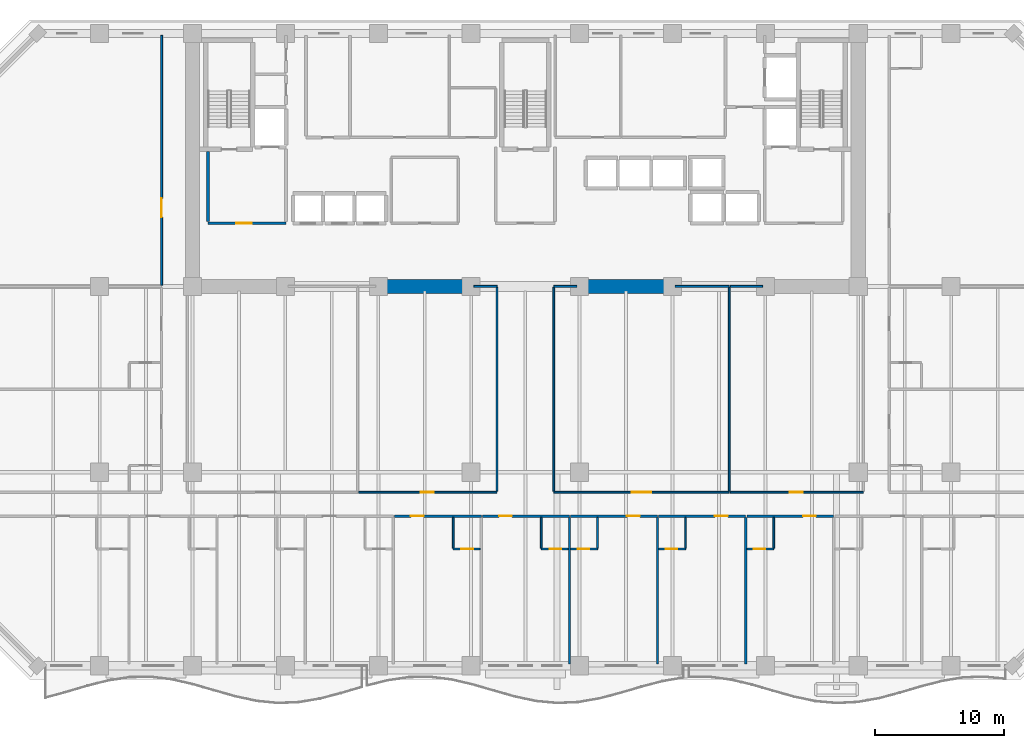
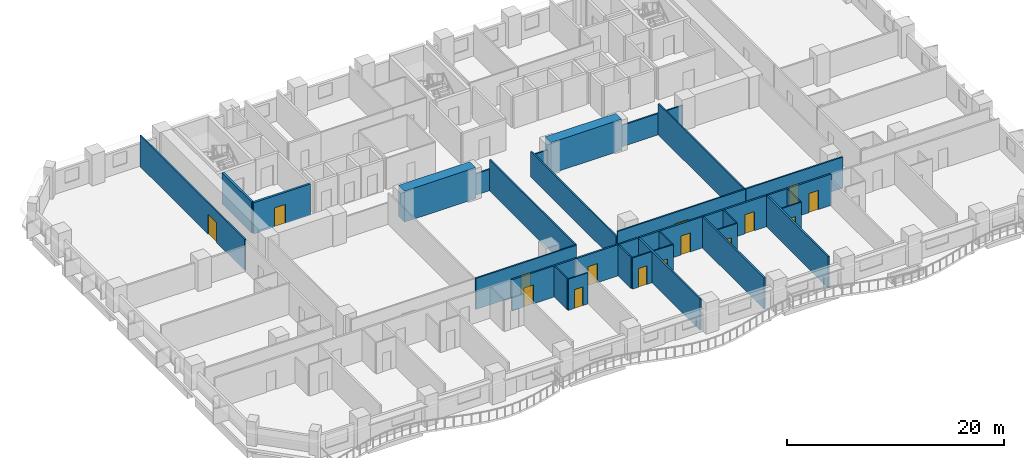
# One storey, part 6 of 15: 33 walls, 15 doors, 15 openings.
"""IFC4 building model written with IfcOpenShell, lengths in metres."""

from ifc_helpers import new_model, si_unit, direction, frame, frame_2d, origin, place, context, subcontext, project, spatial, rectangle, extrude, material, layer, layer_set, type_object, element, fill, save


model = new_model("IFC4")

# Units and contexts
model_context = context("Model", 3, precision=1e-05, world=origin(), true_north=direction((0.0, 1.0)))
body_context = subcontext(model_context, "Body", "Model", "MODEL_VIEW")
ifc_project = project(units=[si_unit("LENGTHUNIT", "METRE"), si_unit("AREAUNIT", "SQUARE_METRE"), si_unit("VOLUMEUNIT", "CUBIC_METRE"), si_unit("PLANEANGLEUNIT", "RADIAN"), si_unit("MASSUNIT", "GRAM", prefix="KILO")], contexts=[model_context])

# Site, building, storey
site_placement = place(None, origin())
site = spatial("IfcSite", under=ifc_project, at=site_placement, CompositionType="ELEMENT")
building_placement = place(site_placement, origin())
building = spatial("IfcBuilding", under=site, at=building_placement, Name="Kaelvorn Grand Hotel", CompositionType="ELEMENT")
storey_placement = place(building_placement, frame((0.0, 0.0, 50.14990234375)))
storey = spatial("IfcBuildingStorey", under=building, at=storey_placement, Name="L10", CompositionType="ELEMENT", Elevation=50.14990234375)

# Walls
ifc_material_1 = material(Name="Concrete C80/95", Category="concrete")
ifc_layer_1 = layer(ifc_material_1, 1.10009765625)
ifc_layer_set_1 = layer_set([ifc_layer_1], Name="Concrete C80/95")
wall_type_1 = type_object("IfcWallType", Name="WL-CORE-1100-C80", PredefinedType="SHEAR", material=ifc_layer_set_1)
for number, where, z_axis, x_axis, name in (
    (1, (30.39990234375, 29.39990234375, 0.0), (0.0, 0.0, 1.0), (1.0, 0.0, 0.0), "L10 Rear-Core Coupled Shear Pier S2"),
    (2, (46.0, 29.39990234375, 0.0), (0.0, 0.0, 1.0), (1.0, 0.0, 0.0), "L10 Rear-Core Coupled Shear Pier S3"),
):
    element("IfcWall", number, at=place(storey_placement, frame(where, z_axis=z_axis, x_axis=x_axis)), inside=storey, type_object=wall_type_1, Name=name, PredefinedType="SHEAR", context=body_context, shape_type="SweptSolid", body=[
        extrude(rectangle(XDim=7.60009765625, YDim=1.10009765625, at=frame_2d((3.800048828125, 0.0))), origin(), (0.0, 0.0, 1.0), 3.510009765625),
    ])

# Wall, opening, door
ifc_material_2 = material(Name="Moisture-Resistant Tile & Stud Board")
ifc_layer_2 = layer(ifc_material_2, 0.125)
ifc_layer_set_2 = layer_set([ifc_layer_2], Name="Moisture-Resistant Tile & Stud Board")
wall_type_2 = type_object("IfcWallType", Name="WL-PART-125-WET", PredefinedType="PARTITIONING", material=ifc_layer_set_2)
wall_1_placement = place(storey_placement, frame((36.406494140625, 9.050048828125, 0.0), z_axis=(0.0, 0.0, 1.0), x_axis=(1.0, 0.0, 0.0)))
wall_1 = element("IfcWall", 3, at=wall_1_placement, inside=storey, type_object=wall_type_2, Name="L10 En-suite Bathroom L10-05 S Partition", PredefinedType="PARTITIONING", context=body_context, shape_type="SweptSolid", body=[
    extrude(rectangle(XDim=2.0849609375, YDim=0.125, at=frame_2d((1.04248046875, 0.0))), origin(), (0.0, 0.0, 1.0), 3.510009765625),
])
opening_1_placement = place(wall_1_placement, frame((0.639892578125, 0.0, 0.0)))
opening_1 = element("IfcOpeningElement", 4, at=opening_1_placement, cuts=wall_1, Name="Opening DI4", PredefinedType="OPENING", context=body_context, shape_type="SweptSolid", body=[
    extrude(rectangle(XDim=0.89990234375, YDim=2.10009765625, at=frame_2d((0.449951171875, 1.050048828125))), frame((0.0, 0.072509765625, 0.0), z_axis=(0.0, -1.0, 0.0), x_axis=(1.0, 0.0, 0.0)), (0.0, 0.0, 1.0), 0.14501953125),
])
ifc_material_3 = material(Name="Timber Veneer Leaf", Category="wood")
door_type_1 = type_object("IfcDoorType", Name="DR-INT-BATH-900x2100", OperationType="NOTDEFINED", PredefinedType="DOOR", material=ifc_material_3)
door_1_placement = place(opening_1_placement, origin())
door_1 = element("IfcDoor", 5, at=door_1_placement, inside=storey, type_object=door_type_1, Name="L10 En-suite Bathroom L10-05 Door", OperationType="SINGLE_SWING_LEFT", OverallHeight=2.10009765625, OverallWidth=0.89990234375, PredefinedType="DOOR", context=body_context, shape_type="SweptSolid", body=[
    extrude(rectangle(XDim=0.89990234375, YDim=2.10009765625, at=frame_2d((0.449951171875, 1.050048828125))), frame((0.0, 0.02490234375, 0.0), z_axis=(0.0, -1.0, 0.0), x_axis=(1.0, 0.0, 0.0)), (0.0, 0.0, 1.0), 0.050048828125),
])
fill(opening_1, door_1)

# Wall
wall_2_placement = place(storey_placement, frame((36.406494140625, 9.117431640625, 0.0), z_axis=(0.0, 0.0, 1.0), x_axis=(0.0, 1.0, 0.0)))
element("IfcWall", 6, at=wall_2_placement, inside=storey, type_object=wall_type_2, Name="L10 En-suite Bathroom L10-05 W Partition", PredefinedType="PARTITIONING", context=body_context, shape_type="SweptSolid", body=[
    extrude(rectangle(XDim=2.387451171875, YDim=0.125, at=frame_2d((1.19384765625, 0.0))), origin(), (0.0, 0.0, 1.0), 3.510009765625),
])

# Wall, opening, door
wall_3_placement = place(storey_placement, frame((43.233642578125, 9.050048828125, 0.0), z_axis=(0.0, 0.0, 1.0), x_axis=(1.0, 0.0, 0.0)))
wall_3 = element("IfcWall", 7, at=wall_3_placement, inside=storey, type_object=wall_type_2, Name="L10 En-suite Bathroom L10-06 S Partition", PredefinedType="PARTITIONING", context=body_context, shape_type="SweptSolid", body=[
    extrude(rectangle(XDim=2.0849609375, YDim=0.125, at=frame_2d((1.04248046875, 0.0))), origin(), (0.0, 0.0, 1.0), 3.510009765625),
])
opening_2_placement = place(wall_3_placement, frame((0.639892578125, 0.0, 0.0)))
opening_2 = element("IfcOpeningElement", 8, at=opening_2_placement, cuts=wall_3, Name="Opening DI4", PredefinedType="OPENING", context=body_context, shape_type="SweptSolid", body=[
    extrude(rectangle(XDim=0.89990234375, YDim=2.10009765625, at=frame_2d((0.449951171875, 1.050048828125))), frame((0.0, 0.072509765625, 0.0), z_axis=(0.0, -1.0, 0.0), x_axis=(1.0, 0.0, 0.0)), (0.0, 0.0, 1.0), 0.14501953125),
])
door_2_placement = place(opening_2_placement, origin())
door_2 = element("IfcDoor", 9, at=door_2_placement, inside=storey, type_object=door_type_1, Name="L10 En-suite Bathroom L10-06 Door", OperationType="SINGLE_SWING_LEFT", OverallHeight=2.10009765625, OverallWidth=0.89990234375, PredefinedType="DOOR", context=body_context, shape_type="SweptSolid", body=[
    extrude(rectangle(XDim=0.89990234375, YDim=2.10009765625, at=frame_2d((0.449951171875, 1.050048828125))), frame((0.0, 0.02490234375, 0.0), z_axis=(0.0, -1.0, 0.0), x_axis=(1.0, 0.0, 0.0)), (0.0, 0.0, 1.0), 0.050048828125),
])
fill(opening_2, door_2)

# Wall
wall_4_placement = place(storey_placement, frame((43.233642578125, 9.117431640625, 0.0), z_axis=(0.0, 0.0, 1.0), x_axis=(0.0, 1.0, 0.0)))
element("IfcWall", 10, at=wall_4_placement, inside=storey, type_object=wall_type_2, Name="L10 En-suite Bathroom L10-06 W Partition", PredefinedType="PARTITIONING", context=body_context, shape_type="SweptSolid", body=[
    extrude(rectangle(XDim=2.387451171875, YDim=0.125, at=frame_2d((1.19384765625, 0.0))), origin(), (0.0, 0.0, 1.0), 3.510009765625),
])

# Wall, opening, door
wall_5_placement = place(storey_placement, frame((45.508544921875, 9.050048828125, 0.0), z_axis=(0.0, 0.0, 1.0), x_axis=(1.0, 0.0, 0.0)))
wall_5 = element("IfcWall", 11, at=wall_5_placement, inside=storey, type_object=wall_type_2, Name="L10 En-suite Bathroom L10-07 S Partition", PredefinedType="PARTITIONING", context=body_context, shape_type="SweptSolid", body=[
    extrude(rectangle(XDim=2.0849609375, YDim=0.125, at=frame_2d((1.04248046875, 0.0))), origin(), (0.0, 0.0, 1.0), 3.510009765625),
])
opening_3_placement = place(wall_5_placement, frame((0.544921875, 0.0, 0.0)))
opening_3 = element("IfcOpeningElement", 12, at=opening_3_placement, cuts=wall_5, Name="Opening DI4", PredefinedType="OPENING", context=body_context, shape_type="SweptSolid", body=[
    extrude(rectangle(XDim=0.89990234375, YDim=2.10009765625, at=frame_2d((0.449951171875, 1.050048828125))), frame((0.0, 0.072509765625, 0.0), z_axis=(0.0, -1.0, 0.0), x_axis=(1.0, 0.0, 0.0)), (0.0, 0.0, 1.0), 0.14501953125),
])
door_3_placement = place(opening_3_placement, origin())
door_3 = element("IfcDoor", 13, at=door_3_placement, inside=storey, type_object=door_type_1, Name="L10 En-suite Bathroom L10-07 Door", OperationType="SINGLE_SWING_LEFT", OverallHeight=2.10009765625, OverallWidth=0.89990234375, PredefinedType="DOOR", context=body_context, shape_type="SweptSolid", body=[
    extrude(rectangle(XDim=0.89990234375, YDim=2.10009765625, at=frame_2d((0.449951171875, 1.050048828125))), frame((0.0, 0.02490234375, 0.0), z_axis=(0.0, -1.0, 0.0), x_axis=(1.0, 0.0, 0.0)), (0.0, 0.0, 1.0), 0.050048828125),
])
fill(opening_3, door_3)

# Wall
wall_6_placement = place(storey_placement, frame((47.593505859375, 9.117431640625, 0.0), z_axis=(0.0, 0.0, 1.0), x_axis=(0.0, 1.0, 0.0)))
element("IfcWall", 14, at=wall_6_placement, inside=storey, type_object=wall_type_2, Name="L10 En-suite Bathroom L10-07 E Partition", PredefinedType="PARTITIONING", context=body_context, shape_type="SweptSolid", body=[
    extrude(rectangle(XDim=2.387451171875, YDim=0.125, at=frame_2d((1.19384765625, 0.0))), origin(), (0.0, 0.0, 1.0), 3.510009765625),
])

# Wall, opening, door
wall_7_placement = place(storey_placement, frame((52.3359375, 9.050048828125, 0.0), z_axis=(0.0, 0.0, 1.0), x_axis=(1.0, 0.0, 0.0)))
wall_7 = element("IfcWall", 15, at=wall_7_placement, inside=storey, type_object=wall_type_2, Name="L10 En-suite Bathroom L10-08 S Partition", PredefinedType="PARTITIONING", context=body_context, shape_type="SweptSolid", body=[
    extrude(rectangle(XDim=2.0849609375, YDim=0.125, at=frame_2d((1.04248046875, 0.0))), origin(), (0.0, 0.0, 1.0), 3.510009765625),
])
opening_4_placement = place(wall_7_placement, frame((0.544921875, 0.0, 0.0)))
opening_4 = element("IfcOpeningElement", 16, at=opening_4_placement, cuts=wall_7, Name="Opening DI4", PredefinedType="OPENING", context=body_context, shape_type="SweptSolid", body=[
    extrude(rectangle(XDim=0.89990234375, YDim=2.10009765625, at=frame_2d((0.449951171875, 1.050048828125))), frame((0.0, 0.072509765625, 0.0), z_axis=(0.0, -1.0, 0.0), x_axis=(1.0, 0.0, 0.0)), (0.0, 0.0, 1.0), 0.14501953125),
])
door_4_placement = place(opening_4_placement, origin())
door_4 = element("IfcDoor", 17, at=door_4_placement, inside=storey, type_object=door_type_1, Name="L10 En-suite Bathroom L10-08 Door", OperationType="SINGLE_SWING_LEFT", OverallHeight=2.10009765625, OverallWidth=0.89990234375, PredefinedType="DOOR", context=body_context, shape_type="SweptSolid", body=[
    extrude(rectangle(XDim=0.89990234375, YDim=2.10009765625, at=frame_2d((0.449951171875, 1.050048828125))), frame((0.0, 0.02490234375, 0.0), z_axis=(0.0, -1.0, 0.0), x_axis=(1.0, 0.0, 0.0)), (0.0, 0.0, 1.0), 0.050048828125),
])
fill(opening_4, door_4)

# Wall
wall_8_placement = place(storey_placement, frame((54.4208984375, 9.117431640625, 0.0), z_axis=(0.0, 0.0, 1.0), x_axis=(0.0, 1.0, 0.0)))
element("IfcWall", 18, at=wall_8_placement, inside=storey, type_object=wall_type_2, Name="L10 En-suite Bathroom L10-08 E Partition", PredefinedType="PARTITIONING", context=body_context, shape_type="SweptSolid", body=[
    extrude(rectangle(XDim=2.387451171875, YDim=0.125, at=frame_2d((1.19384765625, 0.0))), origin(), (0.0, 0.0, 1.0), 3.510009765625),
])

# Wall, opening, door
wall_9_placement = place(storey_placement, frame((59.1630859375, 9.050048828125, 0.0), z_axis=(0.0, 0.0, 1.0), x_axis=(1.0, 0.0, 0.0)))
wall_9 = element("IfcWall", 19, at=wall_9_placement, inside=storey, type_object=wall_type_2, Name="L10 En-suite Bathroom L10-09 S Partition", PredefinedType="PARTITIONING", context=body_context, shape_type="SweptSolid", body=[
    extrude(rectangle(XDim=2.085205078125, YDim=0.125, at=frame_2d((1.04248046875, 0.0))), origin(), (0.0, 0.0, 1.0), 3.510009765625),
])
opening_5_placement = place(wall_9_placement, frame((0.544921875, 0.0, 0.0)))
opening_5 = element("IfcOpeningElement", 20, at=opening_5_placement, cuts=wall_9, Name="Opening DI4", PredefinedType="OPENING", context=body_context, shape_type="SweptSolid", body=[
    extrude(rectangle(XDim=0.89990234375, YDim=2.10009765625, at=frame_2d((0.449951171875, 1.050048828125))), frame((0.0, 0.072509765625, 0.0), z_axis=(0.0, -1.0, 0.0), x_axis=(1.0, 0.0, 0.0)), (0.0, 0.0, 1.0), 0.14501953125),
])
door_5_placement = place(opening_5_placement, origin())
door_5 = element("IfcDoor", 21, at=door_5_placement, inside=storey, type_object=door_type_1, Name="L10 En-suite Bathroom L10-09 Door", OperationType="SINGLE_SWING_LEFT", OverallHeight=2.10009765625, OverallWidth=0.89990234375, PredefinedType="DOOR", context=body_context, shape_type="SweptSolid", body=[
    extrude(rectangle(XDim=0.89990234375, YDim=2.10009765625, at=frame_2d((0.449951171875, 1.050048828125))), frame((0.0, 0.02490234375, 0.0), z_axis=(0.0, -1.0, 0.0), x_axis=(1.0, 0.0, 0.0)), (0.0, 0.0, 1.0), 0.050048828125),
])
fill(opening_5, door_5)

# Wall
wall_10_placement = place(storey_placement, frame((61.248291015625, 9.117431640625, 0.0), z_axis=(0.0, 0.0, 1.0), x_axis=(0.0, 1.0, 0.0)))
element("IfcWall", 22, at=wall_10_placement, inside=storey, type_object=wall_type_2, Name="L10 En-suite Bathroom L10-09 E Partition", PredefinedType="PARTITIONING", context=body_context, shape_type="SweptSolid", body=[
    extrude(rectangle(XDim=2.387451171875, YDim=0.125, at=frame_2d((1.19384765625, 0.0))), origin(), (0.0, 0.0, 1.0), 3.510009765625),
])

# Wall, opening, door
ifc_material_4 = material(Name="Acoustic Gypsum & Stud Partition")
ifc_layer_3 = layer(ifc_material_4, 0.14990234375)
ifc_layer_set_3 = layer_set([ifc_layer_3], Name="Acoustic Gypsum & Stud Partition")
wall_type_3 = type_object("IfcWallType", Name="WL-PART-150-EI60", PredefinedType="PARTITIONING", material=ifc_layer_set_3)
wall_11_placement = place(storey_placement, frame((29.080078125, 13.449951171875, 0.0), z_axis=(0.0, 0.0, 1.0), x_axis=(1.0, 0.0, 0.0)))
wall_11 = element("IfcWall", 23, at=wall_11_placement, inside=storey, type_object=wall_type_3, Name="L10 Chef Finishing Kitchen S Partition", PredefinedType="PARTITIONING", context=body_context, shape_type="SweptSolid", body=[
    extrude(rectangle(XDim=10.719970703125, YDim=0.14990234375, at=frame_2d((5.35986328125, 0.0))), origin(), (0.0, 0.0, 1.0), 3.510009765625),
])
opening_6_placement = place(wall_11_placement, frame((4.820068359375, 0.0, 0.0)))
opening_6 = element("IfcOpeningElement", 24, at=opening_6_placement, cuts=wall_11, Name="Opening DI3", PredefinedType="OPENING", context=body_context, shape_type="SweptSolid", body=[
    extrude(rectangle(XDim=1.0, YDim=2.14990234375, at=frame_2d((0.5, 1.074951171875))), frame((0.0, 0.0849609375, 0.0), z_axis=(0.0, -1.0, 0.0), x_axis=(1.0, 0.0, 0.0)), (0.0, 0.0, 1.0), 0.169921875),
])
ifc_material_5 = material(Name="Timber Veneer Fire Leaf", Category="wood")
door_type_2 = type_object("IfcDoorType", Name="DR-INT-GUEST-1000x2150", OperationType="NOTDEFINED", PredefinedType="DOOR", material=ifc_material_5)
door_6_placement = place(opening_6_placement, origin())
door_6 = element("IfcDoor", 25, at=door_6_placement, inside=storey, type_object=door_type_2, Name="L10 Chef Finishing Kitchen Door", OperationType="SINGLE_SWING_RIGHT", OverallHeight=2.14990234375, OverallWidth=1.0, PredefinedType="DOOR", context=body_context, shape_type="SweptSolid", body=[
    extrude(rectangle(XDim=1.0, YDim=2.14990234375, at=frame_2d((0.5, 1.074951171875))), frame((0.0, 0.02490234375, 0.0), z_axis=(0.0, -1.0, 0.0), x_axis=(1.0, 0.0, 0.0)), (0.0, 0.0, 1.0), 0.050048828125),
])
fill(opening_6, door_6)

# Walls
wall_12_placement = place(storey_placement, frame((38.010009765625, 29.39990234375, 0.0), z_axis=(0.0, 0.0, 1.0), x_axis=(1.0, 0.0, 0.0)))
element("IfcWall", 26, at=wall_12_placement, inside=storey, type_object=wall_type_3, Name="L10 Chef Finishing Kitchen N Partition (2)", PredefinedType="PARTITIONING", context=body_context, shape_type="SweptSolid", body=[
    extrude(rectangle(XDim=1.7900390625, YDim=0.14990234375, at=frame_2d((0.89501953125, 0.0))), origin(), (0.0, 0.0, 1.0), 2.41015625),
])
wall_13_placement = place(storey_placement, frame((39.800048828125, 13.530029296875, 0.0), z_axis=(0.0, 0.0, 1.0), x_axis=(0.0, 1.0, 0.0)))
element("IfcWall", 27, at=wall_13_placement, inside=storey, type_object=wall_type_3, Name="L10 Chef Finishing Kitchen E Partition", PredefinedType="PARTITIONING", context=body_context, shape_type="SweptSolid", body=[
    extrude(rectangle(XDim=15.7900390625, YDim=0.14990234375, at=frame_2d((7.89501953125, 0.0))), origin(), (0.0, 0.0, 1.0), 3.510009765625),
])

# Wall, opening, door
wall_14_placement = place(storey_placement, frame((44.199951171875, 13.449951171875, 0.0), z_axis=(0.0, 0.0, 1.0), x_axis=(1.0, 0.0, 0.0)))
wall_14 = element("IfcWall", 28, at=wall_14_placement, inside=storey, type_object=wall_type_3, Name="L10 Conference Seminar Room S Partition", PredefinedType="PARTITIONING", context=body_context, shape_type="SweptSolid", body=[
    extrude(rectangle(XDim=13.60009765625, YDim=0.14990234375, at=frame_2d((6.800048828125, 0.0))), origin(), (0.0, 0.0, 1.0), 3.510009765625),
])
opening_7_placement = place(wall_14_placement, frame((6.050048828125, 0.0, 0.0)))
opening_7 = element("IfcOpeningElement", 29, at=opening_7_placement, cuts=wall_14, Name="Opening DI5", PredefinedType="OPENING", context=body_context, shape_type="SweptSolid", body=[
    extrude(rectangle(XDim=1.5, YDim=2.25, at=frame_2d((0.75, 1.125))), frame((0.0, 0.0849609375, 0.0), z_axis=(0.0, -1.0, 0.0), x_axis=(1.0, 0.0, 0.0)), (0.0, 0.0, 1.0), 0.169921875),
])
door_type_3 = type_object("IfcDoorType", Name="DR-INT-SALON-1500x2250", OperationType="DOUBLE_DOOR_SINGLE_SWING", PredefinedType="DOOR", material=ifc_material_5)
door_7_placement = place(opening_7_placement, origin())
door_7 = element("IfcDoor", 30, at=door_7_placement, inside=storey, type_object=door_type_3, Name="L10 Conference Seminar Room Door", OperationType="DOUBLE_DOOR_SINGLE_SWING", OverallHeight=2.25, OverallWidth=1.5, PredefinedType="DOOR", context=body_context, shape_type="SweptSolid", body=[
    extrude(rectangle(XDim=1.5, YDim=2.25, at=frame_2d((0.75, 1.125))), frame((0.0, 0.02490234375, 0.0), z_axis=(0.0, -1.0, 0.0), x_axis=(1.0, 0.0, 0.0)), (0.0, 0.0, 1.0), 0.050048828125),
])
fill(opening_7, door_7)

# Walls
wall_15_placement = place(storey_placement, frame((44.199951171875, 29.39990234375, 0.0), z_axis=(0.0, 0.0, 1.0), x_axis=(1.0, 0.0, 0.0)))
element("IfcWall", 31, at=wall_15_placement, inside=storey, type_object=wall_type_3, Name="L10 Conference Seminar Room N Partition (1)", PredefinedType="PARTITIONING", context=body_context, shape_type="SweptSolid", body=[
    extrude(rectangle(XDim=1.7900390625, YDim=0.14990234375, at=frame_2d((0.89501953125, 0.0))), origin(), (0.0, 0.0, 1.0), 2.41015625),
])
wall_16_placement = place(storey_placement, frame((53.610107421875, 29.39990234375, 0.0), z_axis=(0.0, 0.0, 1.0), x_axis=(1.0, 0.0, 0.0)))
element("IfcWall", 32, at=wall_16_placement, inside=storey, type_object=wall_type_3, Name="L10 Conference Seminar Room N Partition (2)", PredefinedType="PARTITIONING", context=body_context, shape_type="SweptSolid", body=[
    extrude(rectangle(XDim=4.18994140625, YDim=0.14990234375, at=frame_2d((2.094970703125, 0.0))), origin(), (0.0, 0.0, 1.0), 2.41015625),
])
wall_17_placement = place(storey_placement, frame((44.199951171875, 13.530029296875, 0.0), z_axis=(0.0, 0.0, 1.0), x_axis=(0.0, 1.0, 0.0)))
element("IfcWall", 33, at=wall_17_placement, inside=storey, type_object=wall_type_3, Name="L10 Conference Seminar Room W Partition", PredefinedType="PARTITIONING", context=body_context, shape_type="SweptSolid", body=[
    extrude(rectangle(XDim=15.7900390625, YDim=0.14990234375, at=frame_2d((7.89501953125, 0.0))), origin(), (0.0, 0.0, 1.0), 2.880126953125),
])
wall_18_placement = place(storey_placement, frame((57.800048828125, 13.530029296875, 0.0), z_axis=(0.0, 0.0, 1.0), x_axis=(0.0, 1.0, 0.0)))
element("IfcWall", 34, at=wall_18_placement, inside=storey, type_object=wall_type_3, Name="L10 Conference Seminar Room E Partition", PredefinedType="PARTITIONING", context=body_context, shape_type="SweptSolid", body=[
    extrude(rectangle(XDim=15.7900390625, YDim=0.14990234375, at=frame_2d((7.89501953125, 0.0))), origin(), (0.0, 0.0, 1.0), 3.510009765625),
])

# Wall, opening, door
wall_19_placement = place(storey_placement, frame((57.8798828125, 13.449951171875, 0.0), z_axis=(0.0, 0.0, 1.0), x_axis=(1.0, 0.0, 0.0)))
wall_19 = element("IfcWall", 35, at=wall_19_placement, inside=storey, type_object=wall_type_3, Name="L10 Concierge Admin Office S Partition", PredefinedType="PARTITIONING", context=body_context, shape_type="SweptSolid", body=[
    extrude(rectangle(XDim=10.320068359375, YDim=0.14990234375, at=frame_2d((5.16015625, 0.0))), origin(), (0.0, 0.0, 1.0), 3.510009765625),
])
opening_8_placement = place(wall_19_placement, frame((4.6201171875, 0.0, 0.0)))
opening_8 = element("IfcOpeningElement", 36, at=opening_8_placement, cuts=wall_19, Name="Opening DI3", PredefinedType="OPENING", context=body_context, shape_type="SweptSolid", body=[
    extrude(rectangle(XDim=1.0, YDim=2.14990234375, at=frame_2d((0.5, 1.074951171875))), frame((0.0, 0.0849609375, 0.0), z_axis=(0.0, -1.0, 0.0), x_axis=(1.0, 0.0, 0.0)), (0.0, 0.0, 1.0), 0.169921875),
])
door_8_placement = place(opening_8_placement, origin())
door_8 = element("IfcDoor", 37, at=door_8_placement, inside=storey, type_object=door_type_2, Name="L10 Concierge Admin Office Door", OperationType="SINGLE_SWING_LEFT", OverallHeight=2.14990234375, OverallWidth=1.0, PredefinedType="DOOR", context=body_context, shape_type="SweptSolid", body=[
    extrude(rectangle(XDim=1.0, YDim=2.14990234375, at=frame_2d((0.5, 1.074951171875))), frame((0.0, 0.02490234375, 0.0), z_axis=(0.0, -1.0, 0.0), x_axis=(1.0, 0.0, 0.0)), (0.0, 0.0, 1.0), 0.050048828125),
])
fill(opening_8, door_8)

# Wall
wall_20_placement = place(storey_placement, frame((57.8798828125, 29.39990234375, 0.0), z_axis=(0.0, 0.0, 1.0), x_axis=(1.0, 0.0, 0.0)))
element("IfcWall", 38, at=wall_20_placement, inside=storey, type_object=wall_type_3, Name="L10 Concierge Admin Office N Partition", PredefinedType="PARTITIONING", context=body_context, shape_type="SweptSolid", body=[
    extrude(rectangle(XDim=2.510009765625, YDim=0.14990234375, at=frame_2d((1.2548828125, 0.0))), origin(), (0.0, 0.0, 1.0), 2.41015625),
])

# Wall, opening, door
wall_21_placement = place(storey_placement, frame((13.800048828125, 29.4951171875, 0.0), z_axis=(0.0, 0.0, 1.0), x_axis=(0.0, 1.0, 0.0)))
wall_21 = element("IfcWall", 39, at=wall_21_placement, inside=storey, type_object=wall_type_3, Name="L10 North-West Conference Seminar Room E Partition", PredefinedType="PARTITIONING", context=body_context, shape_type="SweptSolid", body=[
    extrude(rectangle(XDim=19.35498046875, YDim=0.14990234375, at=frame_2d((9.677490234375, 0.0))), origin(), (0.0, 0.0, 1.0), 3.510009765625),
])
opening_9_placement = place(wall_21_placement, frame((5.2548828125, 0.0, 0.0)))
opening_9 = element("IfcOpeningElement", 40, at=opening_9_placement, cuts=wall_21, Name="Opening DI5", PredefinedType="OPENING", context=body_context, shape_type="SweptSolid", body=[
    extrude(rectangle(XDim=1.5, YDim=2.25, at=frame_2d((0.75, 1.125))), frame((0.0, 0.0849609375, 0.0), z_axis=(0.0, -1.0, 0.0), x_axis=(1.0, 0.0, 0.0)), (0.0, 0.0, 1.0), 0.169921875),
])
door_9_placement = place(opening_9_placement, origin())
door_9 = element("IfcDoor", 41, at=door_9_placement, inside=storey, type_object=door_type_3, Name="L10 North-West Conference Seminar Room Door", OperationType="DOUBLE_DOOR_SINGLE_SWING", OverallHeight=2.25, OverallWidth=1.5, PredefinedType="DOOR", context=body_context, shape_type="SweptSolid", body=[
    extrude(rectangle(XDim=1.5, YDim=2.25, at=frame_2d((0.75, 1.125))), frame((0.0, 0.02490234375, 0.0), z_axis=(0.0, -1.0, 0.0), x_axis=(1.0, 0.0, 0.0)), (0.0, 0.0, 1.0), 0.050048828125),
])
fill(opening_9, door_9)

ifc_layer_4 = layer(ifc_material_4, 0.179931640625)
ifc_layer_set_4 = layer_set([ifc_layer_4], Name="Acoustic Gypsum & Stud Partition")
wall_type_4 = type_object("IfcWallType", Name="WL-PART-180-EI60", PredefinedType="PARTITIONING", material=ifc_layer_set_4)
wall_22_placement = place(storey_placement, frame((31.85400390625, 11.60009765625, 0.0), z_axis=(0.0, 0.0, 1.0), x_axis=(1.0, 0.0, 0.0)))
wall_22 = element("IfcWall", 42, at=wall_22_placement, inside=storey, type_object=wall_type_4, Name="L10 Deluxe Panoramic Suite L10-05 N Partition", PredefinedType="PARTITIONING", context=body_context, shape_type="SweptSolid", body=[
    extrude(rectangle(XDim=6.732421875, YDim=0.179931640625, at=frame_2d((3.3662109375, 0.0))), origin(), (0.0, 0.0, 1.0), 3.510009765625),
])
opening_10_placement = place(wall_22_placement, frame((1.27880859375, 0.0, 0.0)))
opening_10 = element("IfcOpeningElement", 43, at=opening_10_placement, cuts=wall_22, Name="Opening DI3", PredefinedType="OPENING", context=body_context, shape_type="SweptSolid", body=[
    extrude(rectangle(XDim=1.0, YDim=2.14990234375, at=frame_2d((0.5, 1.074951171875))), frame((0.0, 0.10009765625, 0.0), z_axis=(0.0, -1.0, 0.0), x_axis=(1.0, 0.0, 0.0)), (0.0, 0.0, 1.0), 0.199951171875),
])
door_10_placement = place(opening_10_placement, origin())
door_10 = element("IfcDoor", 44, at=door_10_placement, inside=storey, type_object=door_type_2, Name="L10 Deluxe Panoramic Suite L10-05 Door", OperationType="SINGLE_SWING_RIGHT", OverallHeight=2.14990234375, OverallWidth=1.0, PredefinedType="DOOR", context=body_context, shape_type="SweptSolid", body=[
    extrude(rectangle(XDim=1.0, YDim=2.14990234375, at=frame_2d((0.5, 1.074951171875))), frame((0.0, 0.02490234375, 0.0), z_axis=(0.0, -1.0, 0.0), x_axis=(1.0, 0.0, 0.0)), (0.0, 0.0, 1.0), 0.050048828125),
])
fill(opening_10, door_10)

wall_23_placement = place(storey_placement, frame((38.681396484375, 11.60009765625, 0.0), z_axis=(0.0, 0.0, 1.0), x_axis=(1.0, 0.0, 0.0)))
wall_23 = element("IfcWall", 45, at=wall_23_placement, inside=storey, type_object=wall_type_4, Name="L10 Deluxe Panoramic Suite L10-06 N Partition", PredefinedType="PARTITIONING", context=body_context, shape_type="SweptSolid", body=[
    extrude(rectangle(XDim=6.732177734375, YDim=0.179931640625, at=frame_2d((3.3662109375, 0.0))), origin(), (0.0, 0.0, 1.0), 3.510009765625),
])
opening_11_placement = place(wall_23_placement, frame((1.278564453125, 0.0, 0.0)))
opening_11 = element("IfcOpeningElement", 46, at=opening_11_placement, cuts=wall_23, Name="Opening DI3", PredefinedType="OPENING", context=body_context, shape_type="SweptSolid", body=[
    extrude(rectangle(XDim=1.0, YDim=2.14990234375, at=frame_2d((0.5, 1.074951171875))), frame((0.0, 0.10009765625, 0.0), z_axis=(0.0, -1.0, 0.0), x_axis=(1.0, 0.0, 0.0)), (0.0, 0.0, 1.0), 0.199951171875),
])
door_11_placement = place(opening_11_placement, origin())
door_11 = element("IfcDoor", 47, at=door_11_placement, inside=storey, type_object=door_type_2, Name="L10 Deluxe Panoramic Suite L10-06 Door", OperationType="SINGLE_SWING_RIGHT", OverallHeight=2.14990234375, OverallWidth=1.0, PredefinedType="DOOR", context=body_context, shape_type="SweptSolid", body=[
    extrude(rectangle(XDim=1.0, YDim=2.14990234375, at=frame_2d((0.5, 1.074951171875))), frame((0.0, 0.02490234375, 0.0), z_axis=(0.0, -1.0, 0.0), x_axis=(1.0, 0.0, 0.0)), (0.0, 0.0, 1.0), 0.050048828125),
])
fill(opening_11, door_11)

# Wall
wall_24_placement = place(storey_placement, frame((45.41357421875, 0.14990234375, 0.0), z_axis=(0.0, 0.0, 1.0), x_axis=(0.0, 1.0, 0.0)))
element("IfcWall", 48, at=wall_24_placement, inside=storey, type_object=wall_type_4, Name="L10 Deluxe Panoramic Suite L10-06 E Partition", PredefinedType="PARTITIONING", context=body_context, shape_type="SweptSolid", body=[
    extrude(rectangle(XDim=11.35498046875, YDim=0.179931640625, at=frame_2d((5.677490234375, 0.0))), origin(), (0.0, 0.0, 1.0), 3.510009765625),
])

# Wall, opening, door
wall_25_placement = place(storey_placement, frame((45.508544921875, 11.60009765625, 0.0), z_axis=(0.0, 0.0, 1.0), x_axis=(1.0, 0.0, 0.0)))
wall_25 = element("IfcWall", 49, at=wall_25_placement, inside=storey, type_object=wall_type_4, Name="L10 Deluxe Panoramic Suite L10-07 N Partition", PredefinedType="PARTITIONING", context=body_context, shape_type="SweptSolid", body=[
    extrude(rectangle(XDim=6.732421875, YDim=0.179931640625, at=frame_2d((3.3662109375, 0.0))), origin(), (0.0, 0.0, 1.0), 3.510009765625),
])
opening_12_placement = place(wall_25_placement, frame((4.358642578125, 0.0, 0.0)))
opening_12 = element("IfcOpeningElement", 50, at=opening_12_placement, cuts=wall_25, Name="Opening DI3", PredefinedType="OPENING", context=body_context, shape_type="SweptSolid", body=[
    extrude(rectangle(XDim=1.0, YDim=2.14990234375, at=frame_2d((0.5, 1.074951171875))), frame((0.0, 0.10009765625, 0.0), z_axis=(0.0, -1.0, 0.0), x_axis=(1.0, 0.0, 0.0)), (0.0, 0.0, 1.0), 0.199951171875),
])
door_12_placement = place(opening_12_placement, origin())
door_12 = element("IfcDoor", 51, at=door_12_placement, inside=storey, type_object=door_type_2, Name="L10 Deluxe Panoramic Suite L10-07 Door", OperationType="SINGLE_SWING_RIGHT", OverallHeight=2.14990234375, OverallWidth=1.0, PredefinedType="DOOR", context=body_context, shape_type="SweptSolid", body=[
    extrude(rectangle(XDim=1.0, YDim=2.14990234375, at=frame_2d((0.5, 1.074951171875))), frame((0.0, 0.02490234375, 0.0), z_axis=(0.0, -1.0, 0.0), x_axis=(1.0, 0.0, 0.0)), (0.0, 0.0, 1.0), 0.050048828125),
])
fill(opening_12, door_12)

# Wall
wall_26_placement = place(storey_placement, frame((52.240966796875, 0.14990234375, 0.0), z_axis=(0.0, 0.0, 1.0), x_axis=(0.0, 1.0, 0.0)))
element("IfcWall", 52, at=wall_26_placement, inside=storey, type_object=wall_type_4, Name="L10 Deluxe Panoramic Suite L10-07 E Partition", PredefinedType="PARTITIONING", context=body_context, shape_type="SweptSolid", body=[
    extrude(rectangle(XDim=11.35498046875, YDim=0.179931640625, at=frame_2d((5.677490234375, 0.0))), origin(), (0.0, 0.0, 1.0), 3.510009765625),
])

# Wall, opening, door
wall_27_placement = place(storey_placement, frame((52.3359375, 11.60009765625, 0.0), z_axis=(0.0, 0.0, 1.0), x_axis=(1.0, 0.0, 0.0)))
wall_27 = element("IfcWall", 53, at=wall_27_placement, inside=storey, type_object=wall_type_4, Name="L10 Deluxe Panoramic Suite L10-08 N Partition", PredefinedType="PARTITIONING", context=body_context, shape_type="SweptSolid", body=[
    extrude(rectangle(XDim=6.732177734375, YDim=0.179931640625, at=frame_2d((3.3662109375, 0.0))), origin(), (0.0, 0.0, 1.0), 3.510009765625),
])
opening_13_placement = place(wall_27_placement, frame((4.358642578125, 0.0, 0.0)))
opening_13 = element("IfcOpeningElement", 54, at=opening_13_placement, cuts=wall_27, Name="Opening DI3", PredefinedType="OPENING", context=body_context, shape_type="SweptSolid", body=[
    extrude(rectangle(XDim=1.0, YDim=2.14990234375, at=frame_2d((0.5, 1.074951171875))), frame((0.0, 0.10009765625, 0.0), z_axis=(0.0, -1.0, 0.0), x_axis=(1.0, 0.0, 0.0)), (0.0, 0.0, 1.0), 0.199951171875),
])
door_13_placement = place(opening_13_placement, origin())
door_13 = element("IfcDoor", 55, at=door_13_placement, inside=storey, type_object=door_type_2, Name="L10 Deluxe Panoramic Suite L10-08 Door", OperationType="SINGLE_SWING_RIGHT", OverallHeight=2.14990234375, OverallWidth=1.0, PredefinedType="DOOR", context=body_context, shape_type="SweptSolid", body=[
    extrude(rectangle(XDim=1.0, YDim=2.14990234375, at=frame_2d((0.5, 1.074951171875))), frame((0.0, 0.02490234375, 0.0), z_axis=(0.0, -1.0, 0.0), x_axis=(1.0, 0.0, 0.0)), (0.0, 0.0, 1.0), 0.050048828125),
])
fill(opening_13, door_13)

# Wall
wall_28_placement = place(storey_placement, frame((59.068115234375, 0.14990234375, 0.0), z_axis=(0.0, 0.0, 1.0), x_axis=(0.0, 1.0, 0.0)))
element("IfcWall", 56, at=wall_28_placement, inside=storey, type_object=wall_type_4, Name="L10 Deluxe Panoramic Suite L10-08 E Partition", PredefinedType="PARTITIONING", context=body_context, shape_type="SweptSolid", body=[
    extrude(rectangle(XDim=11.35498046875, YDim=0.179931640625, at=frame_2d((5.677490234375, 0.0))), origin(), (0.0, 0.0, 1.0), 3.510009765625),
])

# Wall, opening, door
wall_29_placement = place(storey_placement, frame((59.1630859375, 11.60009765625, 0.0), z_axis=(0.0, 0.0, 1.0), x_axis=(1.0, 0.0, 0.0)))
wall_29 = element("IfcWall", 57, at=wall_29_placement, inside=storey, type_object=wall_type_4, Name="L10 Deluxe Panoramic Suite L10-09 N Partition", PredefinedType="PARTITIONING", context=body_context, shape_type="SweptSolid", body=[
    extrude(rectangle(XDim=6.732421875, YDim=0.179931640625, at=frame_2d((3.3662109375, 0.0))), origin(), (0.0, 0.0, 1.0), 3.510009765625),
])
opening_14_placement = place(wall_29_placement, frame((4.358642578125, 0.0, 0.0)))
opening_14 = element("IfcOpeningElement", 58, at=opening_14_placement, cuts=wall_29, Name="Opening DI3", PredefinedType="OPENING", context=body_context, shape_type="SweptSolid", body=[
    extrude(rectangle(XDim=1.0, YDim=2.14990234375, at=frame_2d((0.5, 1.074951171875))), frame((0.0, 0.10009765625, 0.0), z_axis=(0.0, -1.0, 0.0), x_axis=(1.0, 0.0, 0.0)), (0.0, 0.0, 1.0), 0.199951171875),
])
door_14_placement = place(opening_14_placement, origin())
door_14 = element("IfcDoor", 59, at=door_14_placement, inside=storey, type_object=door_type_2, Name="L10 Deluxe Panoramic Suite L10-09 Door", OperationType="SINGLE_SWING_RIGHT", OverallHeight=2.14990234375, OverallWidth=1.0, PredefinedType="DOOR", context=body_context, shape_type="SweptSolid", body=[
    extrude(rectangle(XDim=1.0, YDim=2.14990234375, at=frame_2d((0.5, 1.074951171875))), frame((0.0, 0.02490234375, 0.0), z_axis=(0.0, -1.0, 0.0), x_axis=(1.0, 0.0, 0.0)), (0.0, 0.0, 1.0), 0.050048828125),
])
fill(opening_14, door_14)

ifc_material_6 = material(Name="Concrete C40/50", Category="concrete")
ifc_layer_5 = layer(ifc_material_6, 0.219970703125)
ifc_layer_set_5 = layer_set([ifc_layer_5], Name="Concrete C40/50")
wall_type_5 = type_object("IfcWallType", Name="WL-PART-220-EI120", PredefinedType="PARTITIONING", material=ifc_layer_set_5)
wall_30_placement = place(storey_placement, frame((17.39990234375, 34.300048828125, 0.0), z_axis=(0.0, 0.0, 1.0), x_axis=(1.0, 0.0, 0.0)))
wall_30 = element("IfcWall", 60, at=wall_30_placement, inside=storey, type_object=wall_type_5, Name="L10 Firefighting Lift Lobby 1 S Partition", PredefinedType="PARTITIONING", context=body_context, shape_type="SweptSolid", body=[
    extrude(rectangle(XDim=6.050048828125, YDim=0.219970703125, at=frame_2d((3.02490234375, 0.0))), origin(), (0.0, 0.0, 1.0), 3.510009765625),
])
opening_15_placement = place(wall_30_placement, frame((2.199951171875, 0.0, 0.0)))
opening_15 = element("IfcOpeningElement", 61, at=opening_15_placement, cuts=wall_30, Name="Opening DI2", PredefinedType="OPENING", context=body_context, shape_type="SweptSolid", body=[
    extrude(rectangle(XDim=1.199951171875, YDim=2.14990234375, at=frame_2d((0.60009765625, 1.074951171875))), frame((0.0, 0.1201171875, 0.0), z_axis=(0.0, -1.0, 0.0), x_axis=(1.0, 0.0, 0.0)), (0.0, 0.0, 1.0), 0.239990234375),
])
door_type_4 = type_object("IfcDoorType", Name="DR-INT-FFLOB-1200x2150", OperationType="NOTDEFINED", PredefinedType="DOOR", material=ifc_material_5)
door_15_placement = place(opening_15_placement, origin())
door_15 = element("IfcDoor", 62, at=door_15_placement, inside=storey, type_object=door_type_4, Name="L10 Firefighting Lift Lobby 1 Door", OperationType="SINGLE_SWING_RIGHT", OverallHeight=2.14990234375, OverallWidth=1.199951171875, PredefinedType="DOOR", context=body_context, shape_type="SweptSolid", body=[
    extrude(rectangle(XDim=1.199951171875, YDim=2.14990234375, at=frame_2d((0.60009765625, 1.074951171875))), frame((0.0, 0.02490234375, 0.0), z_axis=(0.0, -1.0, 0.0), x_axis=(1.0, 0.0, 0.0)), (0.0, 0.0, 1.0), 0.050048828125),
])
fill(opening_15, door_15)

# Wall
wall_31_placement = place(storey_placement, frame((17.39990234375, 34.4150390625, 0.0), z_axis=(0.0, 0.0, 1.0), x_axis=(0.0, 1.0, 0.0)))
element("IfcWall", 63, at=wall_31_placement, inside=storey, type_object=wall_type_5, Name="L10 Firefighting Lift Lobby 1 W Partition", PredefinedType="PARTITIONING", context=body_context, shape_type="SweptSolid", body=[
    extrude(rectangle(XDim=5.429931640625, YDim=0.219970703125, at=frame_2d((2.71484375, 0.0))), origin(), (0.0, 0.0, 1.0), 3.510009765625),
])

save(model, "model.ifc")
